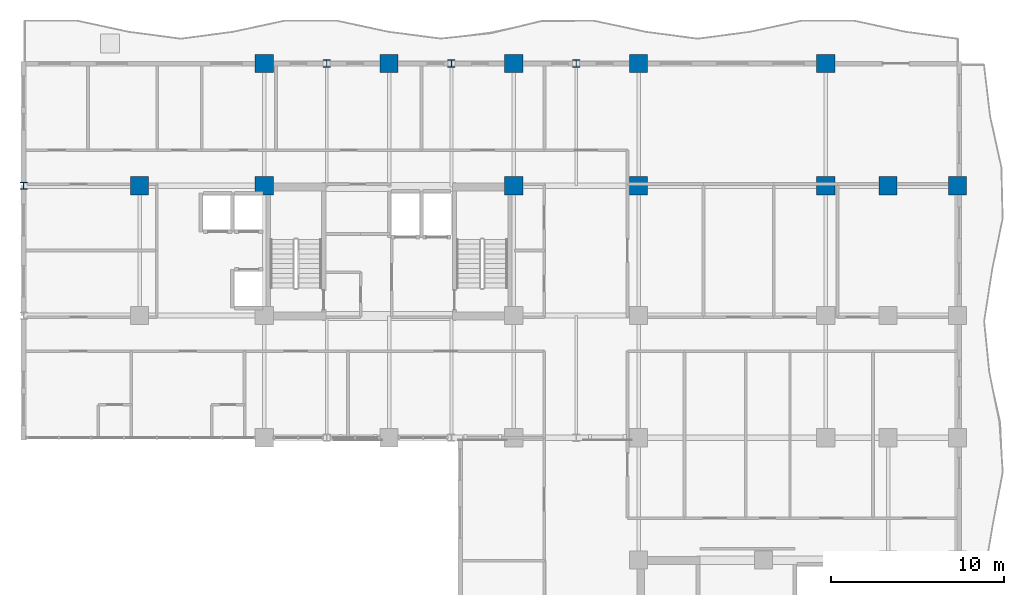
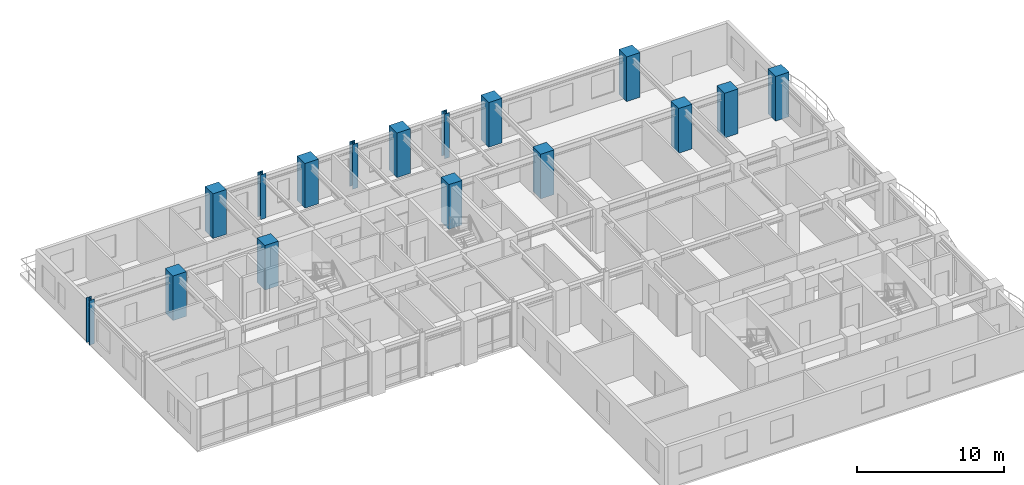
# One storey, part 2 of 17: 16 columns.
"""IFC4 building model written with IfcOpenShell, lengths in metres."""

from ifc_helpers import new_model, si_unit, direction, frame, origin, origin_2d, place, context, subcontext, project, spatial, rectangle, i_section, extrude, source, transform, mapped, material, material_profile, profile_set, type_object, element, save


model = new_model("IFC4")

# Units and contexts
model_context = context("Model", 3, precision=1e-05, world=origin(), true_north=direction((0.0, 1.0)))
body_context = subcontext(model_context, "Body", "Model", "MODEL_VIEW")
ifc_project = project(units=[si_unit("LENGTHUNIT", "METRE"), si_unit("AREAUNIT", "SQUARE_METRE"), si_unit("VOLUMEUNIT", "CUBIC_METRE"), si_unit("PLANEANGLEUNIT", "RADIAN"), si_unit("MASSUNIT", "GRAM", prefix="KILO")], contexts=[model_context])

# Site, building, storey
site_placement = place(None, origin())
site = spatial("IfcSite", under=ifc_project, at=site_placement, CompositionType="ELEMENT")
building_placement = place(site_placement, origin())
building = spatial("IfcBuilding", under=site, at=building_placement, Name="Kaliganga Portal Commons", CompositionType="ELEMENT")
storey_placement = place(building_placement, frame((0.0, 0.0, 143.89990234375)))
storey = spatial("IfcBuildingStorey", under=building, at=storey_placement, Name="L36", CompositionType="ELEMENT", Elevation=143.89990234375)

# Columns
ifc_material_1 = material(Name="Concrete C60/75", Category="concrete")
ifc_material_profile_1 = material_profile(ifc_material_1, rectangle(XDim=1.050048828125, YDim=1.050048828125, at=origin_2d()), Name="RC 1050x1050")
ifc_profile_set_1 = profile_set([ifc_material_profile_1], Name="Concrete C60/75")
column_type_1 = type_object("IfcColumnType", Name="COL-MEGA-Z3", PredefinedType="COLUMN", material=ifc_profile_set_1)
shared_shape_1 = source(origin(), body_context, "Body", "SweptSolid", [
    extrude(rectangle(XDim=1.050048828125, YDim=1.050048828125, at=origin_2d()), origin(), (0.0, 0.0, 1.0), 3.7001953125),
])
for number, where, z_axis, x_axis, name in (
    (1, (7.199951171875, 36.14990234375, 0.0), (0.0, 0.0, 1.0), (1.0, 0.0, 0.0), "Column MC-04 L36"),
    (2, (14.39990234375, 36.14990234375, 0.0), (0.0, 0.0, 1.0), (1.0, 0.0, 0.0), "Column MC-04 L36"),
    (3, (14.39990234375, 43.199951171875, 0.0), (0.0, 0.0, 1.0), (1.0, 0.0, 0.0), "Column MC-04 L36"),
    (4, (21.60009765625, 43.199951171875, 0.0), (0.0, 0.0, 1.0), (1.0, 0.0, 0.0), "Column MC-04 L36"),
    (5, (28.800048828125, 36.14990234375, 0.0), (0.0, 0.0, 1.0), (1.0, 0.0, 0.0), "Column MC-04 L36"),
    (6, (28.800048828125, 43.199951171875, 0.0), (0.0, 0.0, 1.0), (1.0, 0.0, 0.0), "Column MC-04 L36"),
    (7, (36.0, 43.199951171875, 0.0), (0.0, 0.0, 1.0), (1.0, 0.0, 0.0), "Column MC-04 L36"),
    (8, (36.0, 36.14990234375, 0.0), (0.0, 0.0, 1.0), (1.0, 0.0, 0.0), "Column MC-04 L36"),
    (9, (46.800048828125, 36.14990234375, 0.0), (0.0, 0.0, 1.0), (1.0, 0.0, 0.0), "Column MC-04 L36"),
    (10, (46.800048828125, 43.199951171875, 0.0), (0.0, 0.0, 1.0), (1.0, 0.0, 0.0), "Column MC-04 L36"),
    (11, (50.39990234375, 36.14990234375, 0.0), (0.0, 0.0, 1.0), (1.0, 0.0, 0.0), "Column MC-04 L36"),
    (12, (54.39990234375, 36.14990234375, 0.0), (0.0, 0.0, 1.0), (1.0, 0.0, 0.0), "Column MC-04 L36"),
):
    element("IfcColumn", number, at=place(storey_placement, frame(where, z_axis=z_axis, x_axis=x_axis)), inside=storey, type_object=column_type_1, Name=name, PredefinedType="COLUMN", context=body_context, shape_type="MappedRepresentation", body=[
        mapped(shared_shape_1, transform((0.0, 0.0, 0.0), x_axis=(1.0, 0.0, 0.0), y_axis=(0.0, 1.0, 0.0), z_axis=(0.0, 0.0, 1.0), scale=1.0)),
    ])
ifc_material_2 = material(Name="Structural steel S460M", Category="steel")
ifc_material_profile_2 = material_profile(ifc_material_2, i_section(OverallWidth=0.404052734375, OverallDepth=0.4140625, WebThickness=0.0205078125, FlangeThickness=0.028076171875, FilletRadius=0.014892578125, at=origin_2d()), Name="HD 400x347")
ifc_profile_set_2 = profile_set([ifc_material_profile_2], Name="Structural steel S460M wide-flange")
column_type_2 = type_object("IfcColumnType", Name="COL-TUBE-B3", PredefinedType="COLUMN", material=ifc_profile_set_2)
shared_shape_2 = source(origin(), body_context, "Body", "SweptSolid", [
    extrude(i_section(OverallWidth=0.404052734375, OverallDepth=0.4140625, WebThickness=0.0205078125, FlangeThickness=0.028076171875, FilletRadius=0.014892578125, at=origin_2d()), origin(), (0.0, 0.0, 1.0), 3.7001953125),
])
for number, where, z_axis, x_axis, name in (
    (13, (0.5, 36.14990234375, 0.0), (0.0, 0.0, 1.0), (1.0, 0.0, 0.0), "Column TC-03 L36"),
    (14, (18.0, 43.199951171875, 0.0), (0.0, 0.0, 1.0), (1.0, 0.0, 0.0), "Column TC-03 L36"),
    (15, (25.199951171875, 43.199951171875, 0.0), (0.0, 0.0, 1.0), (1.0, 0.0, 0.0), "Column TC-03 L36"),
    (16, (32.39990234375, 43.199951171875, 0.0), (0.0, 0.0, 1.0), (1.0, 0.0, 0.0), "Column TC-03 L36"),
):
    element("IfcColumn", number, at=place(storey_placement, frame(where, z_axis=z_axis, x_axis=x_axis)), inside=storey, type_object=column_type_2, Name=name, PredefinedType="COLUMN", context=body_context, shape_type="MappedRepresentation", body=[
        mapped(shared_shape_2, transform((0.0, 0.0, 0.0), x_axis=(1.0, 0.0, 0.0), y_axis=(0.0, 1.0, 0.0), z_axis=(0.0, 0.0, 1.0), scale=1.0)),
    ])

save(model, "model.ifc")
